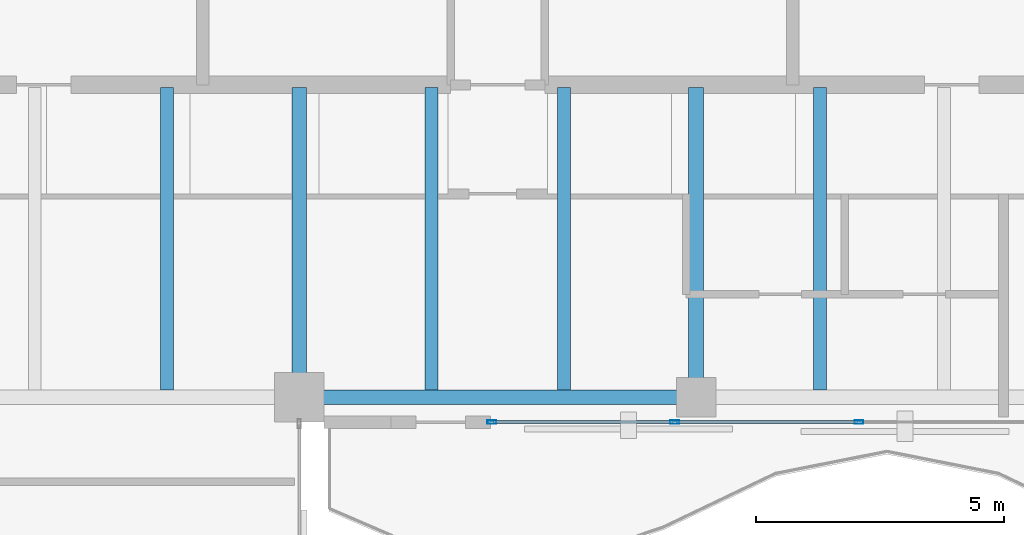
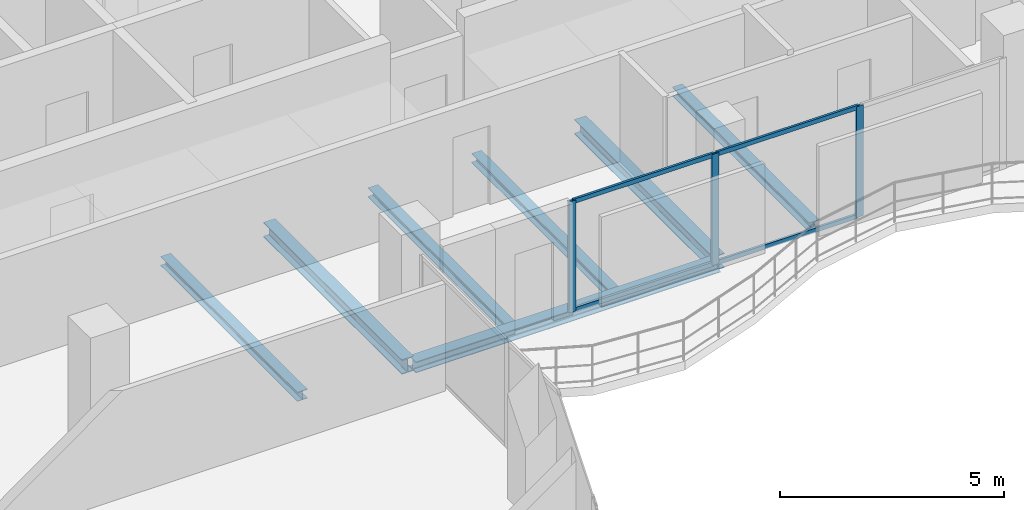
# One storey, part 11 of 23: 7 beams, 7 members, 1 element without a shape of its own.
"""IFC4 building model written with IfcOpenShell, lengths in metres."""

from ifc_helpers import new_model, si_unit, direction, frame, origin, origin_2d, place, context, subcontext, project, spatial, hollow_rectangle, i_section, extrude, material, layer, layer_set, material_profile, profile_set, type_object, element, aggregate, save


model = new_model("IFC4")

# Units and contexts
model_context = context("Model", 3, precision=1e-05, world=origin(), true_north=direction((0.0, 1.0)))
body_context = subcontext(model_context, "Body", "Model", "MODEL_VIEW")
ifc_project = project(units=[si_unit("LENGTHUNIT", "METRE"), si_unit("AREAUNIT", "SQUARE_METRE"), si_unit("VOLUMEUNIT", "CUBIC_METRE"), si_unit("PLANEANGLEUNIT", "RADIAN"), si_unit("MASSUNIT", "GRAM", prefix="KILO")], contexts=[model_context])

# Site, building, storey
site_placement = place(None, origin())
site = spatial("IfcSite", under=ifc_project, at=site_placement, CompositionType="ELEMENT")
building_placement = place(site_placement, origin())
building = spatial("IfcBuilding", under=site, at=building_placement, Name="Catumbela Crestline Tower", CompositionType="ELEMENT")
storey_placement = place(building_placement, frame((0.0, 0.0, 190.2)))
storey = spatial("IfcBuildingStorey", under=building, at=storey_placement, Name="L49", CompositionType="ELEMENT", Elevation=190.2)

# Beams
ifc_material_1 = material(Name="Structural steel S355J2", Category="steel")
ifc_material_profile_1 = material_profile(ifc_material_1, i_section(OverallWidth=0.3, OverallDepth=0.4, WebThickness=0.0135, FlangeThickness=0.024, FilletRadius=0.027, at=origin_2d()), Name="HEB 400")
ifc_profile_set_1 = profile_set([ifc_material_profile_1], Name="Structural steel S355J2")
beam_type_1 = type_object("IfcBeamType", Name="BG-HEB400", PredefinedType="BEAM", material=ifc_profile_set_1)
for number, where, z_axis, x_axis, name in (
    (1, (24.0, 24.58, -0.46), (0.0, 1.0, 0.0), (-1.0, 0.0, 0.0), "L49 Beam BM-L49-SNS18"),
    (2, (32.0, 24.58, -0.46), (0.0, 1.0, 0.0), (-1.0, 0.0, 0.0), "L49 Beam BM-L49-SNS19"),
):
    element("IfcBeam", number, at=place(storey_placement, frame(where, z_axis=z_axis, x_axis=x_axis)), inside=storey, type_object=beam_type_1, Name=name, PredefinedType="BEAM", context=body_context, shape_type="SweptSolid", body=[
        extrude(i_section(OverallWidth=0.3, OverallDepth=0.4, WebThickness=0.0135, FlangeThickness=0.024, FilletRadius=0.027, at=origin_2d()), origin(), (0.0, 0.0, 1.0), 6.17),
    ])
ifc_material_profile_2 = material_profile(ifc_material_1, i_section(OverallWidth=0.26, OverallDepth=0.25, WebThickness=0.0075, FlangeThickness=0.0125, FilletRadius=0.024, at=origin_2d()), Name="HEA 260")
ifc_profile_set_2 = profile_set([ifc_material_profile_2], Name="Structural steel S355J2")
beam_type_2 = type_object("IfcBeamType", Name="BJ-HEA260", PredefinedType="JOIST", material=ifc_profile_set_2)
for number, where, z_axis, x_axis, name in (
    (3, (21.333, 24.647, -0.385), (0.0, 1.0, 0.0), (-1.0, 0.0, 0.0), "L49 Joist JS-L49-SP27"),
    (4, (26.667, 24.647, -0.385), (0.0, 1.0, 0.0), (-1.0, 0.0, 0.0), "L49 Joist JS-L49-SP28"),
    (5, (29.333, 24.647, -0.385), (0.0, 1.0, 0.0), (-1.0, 0.0, 0.0), "L49 Joist JS-L49-SP29"),
    (6, (34.5, 24.647, -0.385), (0.0, 1.0, 0.0), (-1.0, 0.0, 0.0), "L49 Joist JS-L49-SP30"),
):
    element("IfcBeam", number, at=place(storey_placement, frame(where, z_axis=z_axis, x_axis=x_axis)), inside=storey, type_object=beam_type_2, Name=name, PredefinedType="JOIST", context=body_context, shape_type="SweptSolid", body=[
        extrude(i_section(OverallWidth=0.26, OverallDepth=0.25, WebThickness=0.0075, FlangeThickness=0.0125, FilletRadius=0.024, at=origin_2d()), origin(), (0.0, 0.0, 1.0), 6.103),
    ])

# Curtain wall, members
ifc_material_2 = material(Name="Aluminium alloy AW-6060-T66", Category="aluminium")
ifc_layer = layer(ifc_material_2, 0.18, Name="Aluminium alloy AW-6060-T66")
ifc_layer_set = layer_set([ifc_layer], Name="Aluminium alloy AW-6060-T66")
curtain_wall_type = type_object("IfcCurtainWallType", Name="CWU-Z3", PredefinedType="USERDEFINED", material=ifc_layer_set)
curtain_wall_placement = place(storey_placement, origin())
curtain_wall = element("IfcCurtainWall", 7, at=curtain_wall_placement, inside=storey, type_object=curtain_wall_type, Name="L49 Unitised Curtain Wall CW-L49-E3S2", ObjectType="UNITISED", PredefinedType="USERDEFINED")
ifc_material_profile_3 = material_profile(ifc_material_2, hollow_rectangle(XDim=0.065, YDim=0.18, WallThickness=0.004, at=origin_2d()), Name="ALU 180x65x4")
ifc_profile_set_3 = profile_set([ifc_material_profile_3], Name="Aluminium alloy AW-6060-T66")
member_type_1 = type_object("IfcMemberType", Name="MUL-180X65", PredefinedType="MULLION", material=ifc_profile_set_3)
member_1_placement = place(storey_placement, frame((27.8825, 24.0, 0.0), z_axis=(0.0, 0.0, 1.0), x_axis=(0.0, 1.0, 0.0)))
member_1 = element("IfcMember", 8, at=member_1_placement, type_object=member_type_1, Name="CWU-Z3 mullion 1", PredefinedType="MULLION", context=body_context, shape_type="SweptSolid", body=[
    extrude(hollow_rectangle(XDim=0.065, YDim=0.18, WallThickness=0.004, at=origin_2d()), origin(), (0.0, 0.0, 1.0), 3.02),
])
member_2_placement = place(storey_placement, frame((31.5667, 24.0, 0.0), z_axis=(0.0, 0.0, 1.0), x_axis=(0.0, 1.0, 0.0)))
member_2 = element("IfcMember", 9, at=member_2_placement, type_object=member_type_1, Name="CWU-Z3 mullion 2", PredefinedType="MULLION", context=body_context, shape_type="SweptSolid", body=[
    extrude(hollow_rectangle(XDim=0.065, YDim=0.18, WallThickness=0.004, at=origin_2d()), origin(), (0.0, 0.0, 1.0), 3.02),
])
member_3_placement = place(storey_placement, frame((35.2833, 24.0, 0.0), z_axis=(0.0, 0.0, 1.0), x_axis=(0.0, 1.0, 0.0)))
member_3 = element("IfcMember", 10, at=member_3_placement, type_object=member_type_1, Name="CWU-Z3 mullion 3", PredefinedType="MULLION", context=body_context, shape_type="SweptSolid", body=[
    extrude(hollow_rectangle(XDim=0.065, YDim=0.18, WallThickness=0.004, at=origin_2d()), origin(), (0.0, 0.0, 1.0), 3.02),
])

# Beam
ifc_material_profile_4 = material_profile(ifc_material_1, i_section(OverallWidth=0.3, OverallDepth=0.3, WebThickness=0.011, FlangeThickness=0.019, FilletRadius=0.027, at=origin_2d()), Name="HEB 300")
ifc_profile_set_4 = profile_set([ifc_material_profile_4], Name="Structural steel S355J2")
beam_type_3 = type_object("IfcBeamType", Name="BS-HEB300", PredefinedType="SPANDREL", material=ifc_profile_set_4)
beam_placement = place(storey_placement, frame((24.08, 24.5, -0.41), z_axis=(1.0, 0.0, 0.0), x_axis=(0.0, 1.0, 0.0)))
element("IfcBeam", 11, at=beam_placement, inside=storey, type_object=beam_type_3, Name="L49 Spandrel SP-L49-S04", PredefinedType="SPANDREL", context=body_context, shape_type="SweptSolid", body=[
    extrude(i_section(OverallWidth=0.3, OverallDepth=0.3, WebThickness=0.011, FlangeThickness=0.019, FilletRadius=0.027, at=origin_2d()), origin(), (0.0, 0.0, 1.0), 7.84),
])

# Member
ifc_material_profile_5 = material_profile(ifc_material_2, hollow_rectangle(XDim=0.06, YDim=0.12, WallThickness=0.0035, at=origin_2d()), Name="ALU 120x60x3.5")
ifc_profile_set_5 = profile_set([ifc_material_profile_5], Name="Aluminium alloy AW-6060-T66")
member_type_2 = type_object("IfcMemberType", Name="TRN-120X60", PredefinedType="USERDEFINED", material=ifc_profile_set_5)
member_4_placement = place(storey_placement, frame((27.915, 24.0, 0.03), z_axis=(1.0, 0.0, 0.0), x_axis=(0.0, 1.0, 0.0)))
member_4 = element("IfcMember", 12, at=member_4_placement, type_object=member_type_2, Name="CWU-Z3 transom 1.1", ObjectType="TRANSOM", PredefinedType="USERDEFINED", context=body_context, shape_type="SweptSolid", body=[
    extrude(hollow_rectangle(XDim=0.06, YDim=0.12, WallThickness=0.0035, at=origin_2d()), origin(), (0.0, 0.0, 1.0), 3.6192),
])

member_5_placement = place(storey_placement, frame((27.915, 24.0, 2.99), z_axis=(1.0, 0.0, 0.0), x_axis=(0.0, 1.0, 0.0)))
member_5 = element("IfcMember", 13, at=member_5_placement, type_object=member_type_2, Name="CWU-Z3 transom 1.2", ObjectType="TRANSOM", PredefinedType="USERDEFINED", context=body_context, shape_type="SweptSolid", body=[
    extrude(hollow_rectangle(XDim=0.06, YDim=0.12, WallThickness=0.0035, at=origin_2d()), origin(), (0.0, 0.0, 1.0), 3.6192),
])

member_6_placement = place(storey_placement, frame((31.5992, 24.0, 0.03), z_axis=(1.0, 0.0, 0.0), x_axis=(0.0, 1.0, 0.0)))
member_6 = element("IfcMember", 14, at=member_6_placement, type_object=member_type_2, Name="CWU-Z3 transom 2.1", ObjectType="TRANSOM", PredefinedType="USERDEFINED", context=body_context, shape_type="SweptSolid", body=[
    extrude(hollow_rectangle(XDim=0.06, YDim=0.12, WallThickness=0.0035, at=origin_2d()), origin(), (0.0, 0.0, 1.0), 3.6516),
])

member_7_placement = place(storey_placement, frame((31.5992, 24.0, 2.99), z_axis=(1.0, 0.0, 0.0), x_axis=(0.0, 1.0, 0.0)))
member_7 = element("IfcMember", 15, at=member_7_placement, type_object=member_type_2, Name="CWU-Z3 transom 2.2", ObjectType="TRANSOM", PredefinedType="USERDEFINED", context=body_context, shape_type="SweptSolid", body=[
    extrude(hollow_rectangle(XDim=0.06, YDim=0.12, WallThickness=0.0035, at=origin_2d()), origin(), (0.0, 0.0, 1.0), 3.6516),
])

aggregate(curtain_wall, [member_1, member_2, member_3, member_4, member_5, member_6, member_7])

save(model, "model.ifc")
